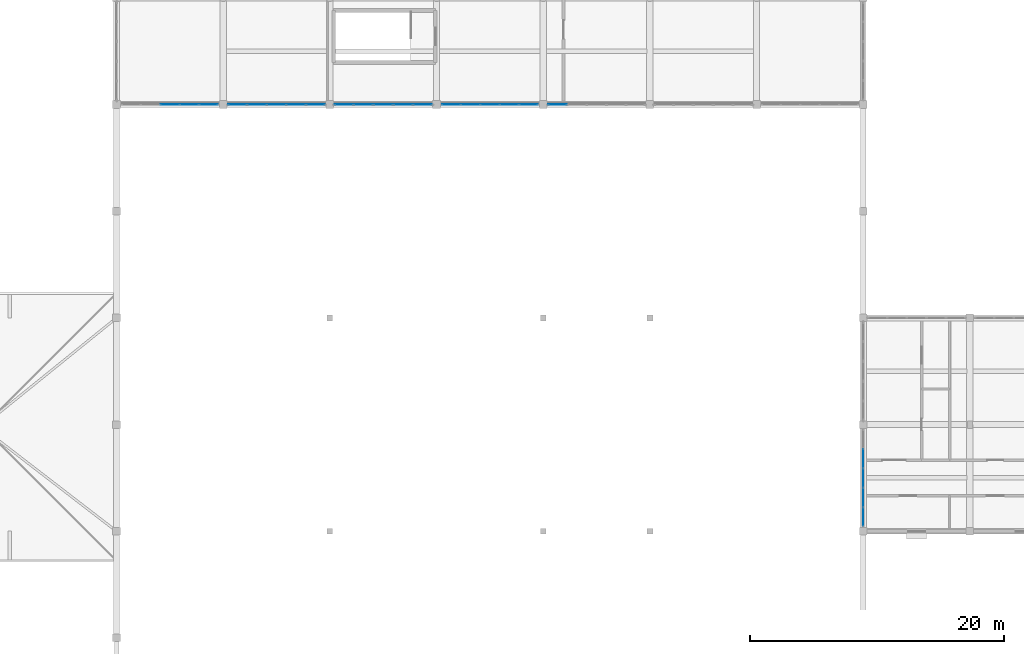
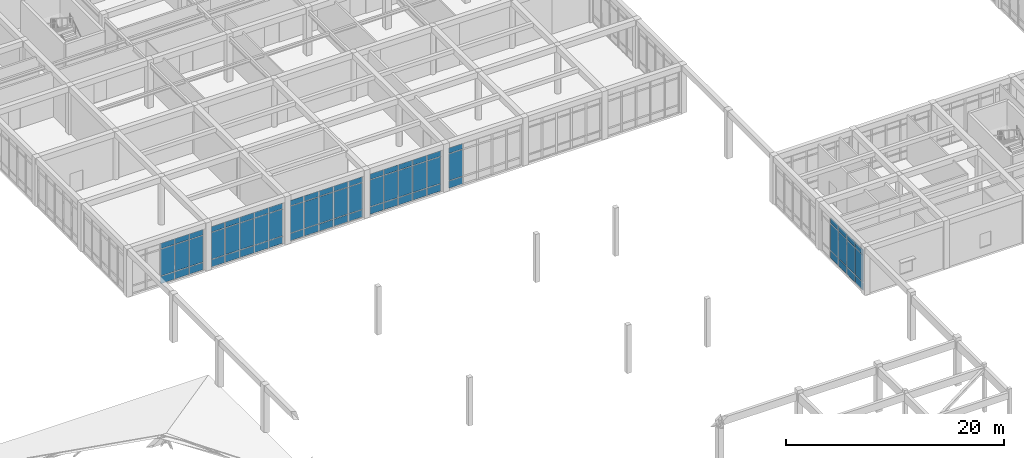
# One storey, part 40 of 89: 69 plates, 6 elements without a shape of their own.
"""IFC4 building model written with IfcOpenShell, lengths in metres."""

from ifc_helpers import new_model, si_unit, direction, frame, origin, origin_2d, place, context, subcontext, project, spatial, rectangle, extrude, material, layer, layer_set, type_object, element, aggregate, save


model = new_model("IFC4")

# Units and contexts
model_context = context("Model", 3, precision=1e-05, world=origin(), true_north=direction((0.0, 1.0)))
body_context = subcontext(model_context, "Body", "Model", "MODEL_VIEW")
ifc_project = project(units=[si_unit("LENGTHUNIT", "METRE"), si_unit("AREAUNIT", "SQUARE_METRE"), si_unit("VOLUMEUNIT", "CUBIC_METRE"), si_unit("PLANEANGLEUNIT", "RADIAN"), si_unit("MASSUNIT", "GRAM", prefix="KILO")], contexts=[model_context])

# Site, building, storey
site_placement = place(None, origin())
site = spatial("IfcSite", under=ifc_project, at=site_placement, CompositionType="ELEMENT")
building_placement = place(site_placement, origin())
building = spatial("IfcBuilding", under=site, at=building_placement, Name="Varncliffe General Hospital", CompositionType="ELEMENT")
storey_placement = place(building_placement, frame((0.0, 0.0, 10.800048828125)))
storey = spatial("IfcBuildingStorey", under=building, at=storey_placement, Name="L02", CompositionType="ELEMENT", Elevation=10.800048828125)

# Curtain wall, plates
ifc_material = material(Name="Triple low-E argon insulated vision glazing", Category="glass")
curtain_wall_type_1 = type_object("IfcCurtainWallType", Name="Unitised Glazed Curtain Wall CW70 (7724x4640)", PredefinedType="USERDEFINED", material=ifc_material)
curtain_wall_1_placement = place(storey_placement, origin())
curtain_wall_1 = element("IfcCurtainWall", 1, at=curtain_wall_1_placement, inside=storey, type_object=curtain_wall_type_1, Name="L02 Glazed Curtain Wall CW70-136", ObjectType="GLAZED CURTAIN WALL", PredefinedType="USERDEFINED")
ifc_layer_1 = layer(ifc_material, 0.0439453125)
ifc_layer_set_1 = layer_set([ifc_layer_1], Name="Triple low-E argon insulated vision glazing")
plate_type_1 = type_object("IfcPlateType", Name="Curtain Wall Glazing Panel CP12 (44mm)", PredefinedType="CURTAIN_PANEL", material=ifc_layer_set_1)
plate_1_placement = place(storey_placement, frame((93.529052734375, 57.60009765625, 0.059814453125), z_axis=(0.0, 0.0, 1.0), x_axis=(-1.0, 0.0, 0.0)))
plate_1 = element("IfcPlate", 2, at=plate_1_placement, type_object=plate_type_1, Name="CW70 panel 5.1", PredefinedType="CURTAIN_PANEL", context=body_context, shape_type="SweptSolid", body=[
    extrude(rectangle(XDim=1.432373046875, YDim=0.0439453125, at=origin_2d()), origin(), (0.0, 0.0, 1.0), 0.81005859375),
])
plate_2_placement = place(storey_placement, frame((93.529052734375, 57.60009765625, 0.929931640625), z_axis=(0.0, 0.0, 1.0), x_axis=(-1.0, 0.0, 0.0)))
plate_2 = element("IfcPlate", 3, at=plate_2_placement, type_object=plate_type_1, Name="CW70 panel 5.2", PredefinedType="CURTAIN_PANEL", context=body_context, shape_type="SweptSolid", body=[
    extrude(rectangle(XDim=1.432373046875, YDim=0.0439453125, at=origin_2d()), origin(), (0.0, 0.0, 1.0), 2.97998046875),
])
plate_3_placement = place(storey_placement, frame((93.529052734375, 57.60009765625, 3.9697265625), z_axis=(0.0, 0.0, 1.0), x_axis=(-1.0, 0.0, 0.0)))
plate_3 = element("IfcPlate", 4, at=plate_3_placement, type_object=plate_type_1, Name="CW70 panel 5.3", PredefinedType="CURTAIN_PANEL", context=body_context, shape_type="SweptSolid", body=[
    extrude(rectangle(XDim=1.432373046875, YDim=0.0439453125, at=origin_2d()), origin(), (0.0, 0.0, 1.0), 0.610107421875),
])
aggregate(curtain_wall_1, [plate_1, plate_2, plate_3])

curtain_wall_2_placement = place(storey_placement, origin())
curtain_wall_2 = element("IfcCurtainWall", 5, at=curtain_wall_2_placement, inside=storey, type_object=curtain_wall_type_1, Name="L02 Glazed Curtain Wall CW70-139", ObjectType="GLAZED CURTAIN WALL", PredefinedType="USERDEFINED")
plate_4_placement = place(storey_placement, frame((74.470947265625, 57.60009765625, 0.059814453125), z_axis=(0.0, 0.0, 1.0), x_axis=(-1.0, 0.0, 0.0)))
plate_4 = element("IfcPlate", 6, at=plate_4_placement, type_object=plate_type_1, Name="CW70 panel 1.1", PredefinedType="CURTAIN_PANEL", context=body_context, shape_type="SweptSolid", body=[
    extrude(rectangle(XDim=1.432373046875, YDim=0.0439453125, at=origin_2d()), origin(), (0.0, 0.0, 1.0), 0.81005859375),
])
plate_5_placement = place(storey_placement, frame((74.470947265625, 57.60009765625, 0.929931640625), z_axis=(0.0, 0.0, 1.0), x_axis=(-1.0, 0.0, 0.0)))
plate_5 = element("IfcPlate", 7, at=plate_5_placement, type_object=plate_type_1, Name="CW70 panel 1.2", PredefinedType="CURTAIN_PANEL", context=body_context, shape_type="SweptSolid", body=[
    extrude(rectangle(XDim=1.432373046875, YDim=0.0439453125, at=origin_2d()), origin(), (0.0, 0.0, 1.0), 2.97998046875),
])
plate_6_placement = place(storey_placement, frame((74.470947265625, 57.60009765625, 3.9697265625), z_axis=(0.0, 0.0, 1.0), x_axis=(-1.0, 0.0, 0.0)))
plate_6 = element("IfcPlate", 8, at=plate_6_placement, type_object=plate_type_1, Name="CW70 panel 1.3", PredefinedType="CURTAIN_PANEL", context=body_context, shape_type="SweptSolid", body=[
    extrude(rectangle(XDim=1.432373046875, YDim=0.0439453125, at=origin_2d()), origin(), (0.0, 0.0, 1.0), 0.610107421875),
])
plate_7_placement = place(storey_placement, frame((72.94482421875, 57.60009765625, 0.059814453125), z_axis=(0.0, 0.0, 1.0), x_axis=(-1.0, 0.0, 0.0)))
plate_7 = element("IfcPlate", 9, at=plate_7_placement, type_object=plate_type_1, Name="CW70 panel 2.1", PredefinedType="CURTAIN_PANEL", context=body_context, shape_type="SweptSolid", body=[
    extrude(rectangle(XDim=1.4697265625, YDim=0.0439453125, at=origin_2d()), origin(), (0.0, 0.0, 1.0), 0.81005859375),
])
plate_8_placement = place(storey_placement, frame((72.94482421875, 57.60009765625, 0.929931640625), z_axis=(0.0, 0.0, 1.0), x_axis=(-1.0, 0.0, 0.0)))
plate_8 = element("IfcPlate", 10, at=plate_8_placement, type_object=plate_type_1, Name="CW70 panel 2.2", PredefinedType="CURTAIN_PANEL", context=body_context, shape_type="SweptSolid", body=[
    extrude(rectangle(XDim=1.4697265625, YDim=0.0439453125, at=origin_2d()), origin(), (0.0, 0.0, 1.0), 2.97998046875),
])
plate_9_placement = place(storey_placement, frame((72.94482421875, 57.60009765625, 3.9697265625), z_axis=(0.0, 0.0, 1.0), x_axis=(-1.0, 0.0, 0.0)))
plate_9 = element("IfcPlate", 11, at=plate_9_placement, type_object=plate_type_1, Name="CW70 panel 2.3", PredefinedType="CURTAIN_PANEL", context=body_context, shape_type="SweptSolid", body=[
    extrude(rectangle(XDim=1.4697265625, YDim=0.0439453125, at=origin_2d()), origin(), (0.0, 0.0, 1.0), 0.610107421875),
])
plate_10_placement = place(storey_placement, frame((71.39990234375, 57.60009765625, 0.059814453125), z_axis=(0.0, 0.0, 1.0), x_axis=(-1.0, 0.0, 0.0)))
plate_10 = element("IfcPlate", 12, at=plate_10_placement, type_object=plate_type_1, Name="CW70 panel 3.1", PredefinedType="CURTAIN_PANEL", context=body_context, shape_type="SweptSolid", body=[
    extrude(rectangle(XDim=1.4697265625, YDim=0.0439453125, at=origin_2d()), origin(), (0.0, 0.0, 1.0), 0.81005859375),
])
plate_11_placement = place(storey_placement, frame((71.39990234375, 57.60009765625, 0.929931640625), z_axis=(0.0, 0.0, 1.0), x_axis=(-1.0, 0.0, 0.0)))
plate_11 = element("IfcPlate", 13, at=plate_11_placement, type_object=plate_type_1, Name="CW70 panel 3.2", PredefinedType="CURTAIN_PANEL", context=body_context, shape_type="SweptSolid", body=[
    extrude(rectangle(XDim=1.4697265625, YDim=0.0439453125, at=origin_2d()), origin(), (0.0, 0.0, 1.0), 2.97998046875),
])
plate_12_placement = place(storey_placement, frame((71.39990234375, 57.60009765625, 3.9697265625), z_axis=(0.0, 0.0, 1.0), x_axis=(-1.0, 0.0, 0.0)))
plate_12 = element("IfcPlate", 14, at=plate_12_placement, type_object=plate_type_1, Name="CW70 panel 3.3", PredefinedType="CURTAIN_PANEL", context=body_context, shape_type="SweptSolid", body=[
    extrude(rectangle(XDim=1.4697265625, YDim=0.0439453125, at=origin_2d()), origin(), (0.0, 0.0, 1.0), 0.610107421875),
])
plate_13_placement = place(storey_placement, frame((69.855224609375, 57.60009765625, 0.059814453125), z_axis=(0.0, 0.0, 1.0), x_axis=(-1.0, 0.0, 0.0)))
plate_13 = element("IfcPlate", 15, at=plate_13_placement, type_object=plate_type_1, Name="CW70 panel 4.1", PredefinedType="CURTAIN_PANEL", context=body_context, shape_type="SweptSolid", body=[
    extrude(rectangle(XDim=1.4697265625, YDim=0.0439453125, at=origin_2d()), origin(), (0.0, 0.0, 1.0), 0.81005859375),
])
plate_14_placement = place(storey_placement, frame((69.855224609375, 57.60009765625, 0.929931640625), z_axis=(0.0, 0.0, 1.0), x_axis=(-1.0, 0.0, 0.0)))
plate_14 = element("IfcPlate", 16, at=plate_14_placement, type_object=plate_type_1, Name="CW70 panel 4.2", PredefinedType="CURTAIN_PANEL", context=body_context, shape_type="SweptSolid", body=[
    extrude(rectangle(XDim=1.4697265625, YDim=0.0439453125, at=origin_2d()), origin(), (0.0, 0.0, 1.0), 2.97998046875),
])
plate_15_placement = place(storey_placement, frame((69.855224609375, 57.60009765625, 3.9697265625), z_axis=(0.0, 0.0, 1.0), x_axis=(-1.0, 0.0, 0.0)))
plate_15 = element("IfcPlate", 17, at=plate_15_placement, type_object=plate_type_1, Name="CW70 panel 4.3", PredefinedType="CURTAIN_PANEL", context=body_context, shape_type="SweptSolid", body=[
    extrude(rectangle(XDim=1.4697265625, YDim=0.0439453125, at=origin_2d()), origin(), (0.0, 0.0, 1.0), 0.610107421875),
])
plate_16_placement = place(storey_placement, frame((68.3291015625, 57.60009765625, 0.059814453125), z_axis=(0.0, 0.0, 1.0), x_axis=(-1.0, 0.0, 0.0)))
plate_16 = element("IfcPlate", 18, at=plate_16_placement, type_object=plate_type_1, Name="CW70 panel 5.1", PredefinedType="CURTAIN_PANEL", context=body_context, shape_type="SweptSolid", body=[
    extrude(rectangle(XDim=1.432373046875, YDim=0.0439453125, at=origin_2d()), origin(), (0.0, 0.0, 1.0), 0.81005859375),
])
plate_17_placement = place(storey_placement, frame((68.3291015625, 57.60009765625, 0.929931640625), z_axis=(0.0, 0.0, 1.0), x_axis=(-1.0, 0.0, 0.0)))
plate_17 = element("IfcPlate", 19, at=plate_17_placement, type_object=plate_type_1, Name="CW70 panel 5.2", PredefinedType="CURTAIN_PANEL", context=body_context, shape_type="SweptSolid", body=[
    extrude(rectangle(XDim=1.432373046875, YDim=0.0439453125, at=origin_2d()), origin(), (0.0, 0.0, 1.0), 2.97998046875),
])
plate_18_placement = place(storey_placement, frame((68.3291015625, 57.60009765625, 3.9697265625), z_axis=(0.0, 0.0, 1.0), x_axis=(-1.0, 0.0, 0.0)))
plate_18 = element("IfcPlate", 20, at=plate_18_placement, type_object=plate_type_1, Name="CW70 panel 5.3", PredefinedType="CURTAIN_PANEL", context=body_context, shape_type="SweptSolid", body=[
    extrude(rectangle(XDim=1.432373046875, YDim=0.0439453125, at=origin_2d()), origin(), (0.0, 0.0, 1.0), 0.610107421875),
])
aggregate(curtain_wall_2, [plate_4, plate_5, plate_6, plate_7, plate_8, plate_9, plate_10, plate_11, plate_12, plate_13, plate_14, plate_15, plate_16, plate_17, plate_18])

curtain_wall_type_2 = type_object("IfcCurtainWallType", Name="Unitised Glazed Curtain Wall CW85 (7804x4640)", PredefinedType="USERDEFINED", material=ifc_material)
curtain_wall_3_placement = place(storey_placement, origin())
curtain_wall_3 = element("IfcCurtainWall", 21, at=curtain_wall_3_placement, inside=storey, type_object=curtain_wall_type_2, Name="L02 Glazed Curtain Wall CW85-138", ObjectType="GLAZED CURTAIN WALL", PredefinedType="USERDEFINED")
ifc_layer_2 = layer(ifc_material, 0.035888671875)
ifc_layer_set_2 = layer_set([ifc_layer_2], Name="Triple low-E argon insulated vision glazing")
plate_type_2 = type_object("IfcPlateType", Name="Curtain Wall Glazing Panel CP27 (36mm)", PredefinedType="CURTAIN_PANEL", material=ifc_layer_set_2)
plate_19_placement = place(storey_placement, frame((82.90283203125, 57.60009765625, 0.06494140625), z_axis=(0.0, 0.0, 1.0), x_axis=(-1.0, 0.0, 0.0)))
plate_19 = element("IfcPlate", 22, at=plate_19_placement, type_object=plate_type_2, Name="CW85 panel 1.1", PredefinedType="CURTAIN_PANEL", context=body_context, shape_type="SweptSolid", body=[
    extrude(rectangle(XDim=1.4482421875, YDim=0.035888671875, at=origin_2d()), origin(), (0.0, 0.0, 1.0), 0.802490234375),
])
plate_20_placement = place(storey_placement, frame((82.90283203125, 57.60009765625, 0.932373046875), z_axis=(0.0, 0.0, 1.0), x_axis=(-1.0, 0.0, 0.0)))
plate_20 = element("IfcPlate", 23, at=plate_20_placement, type_object=plate_type_2, Name="CW85 panel 1.2", PredefinedType="CURTAIN_PANEL", context=body_context, shape_type="SweptSolid", body=[
    extrude(rectangle(XDim=1.4482421875, YDim=0.035888671875, at=origin_2d()), origin(), (0.0, 0.0, 1.0), 2.97509765625),
])
plate_21_placement = place(storey_placement, frame((82.90283203125, 57.60009765625, 3.972412109375), z_axis=(0.0, 0.0, 1.0), x_axis=(-1.0, 0.0, 0.0)))
plate_21 = element("IfcPlate", 24, at=plate_21_placement, type_object=plate_type_2, Name="CW85 panel 1.3", PredefinedType="CURTAIN_PANEL", context=body_context, shape_type="SweptSolid", body=[
    extrude(rectangle(XDim=1.4482421875, YDim=0.035888671875, at=origin_2d()), origin(), (0.0, 0.0, 1.0), 0.6025390625),
])
plate_22_placement = place(storey_placement, frame((81.36083984375, 57.60009765625, 0.06494140625), z_axis=(0.0, 0.0, 1.0), x_axis=(-1.0, 0.0, 0.0)))
plate_22 = element("IfcPlate", 25, at=plate_22_placement, type_object=plate_type_2, Name="CW85 panel 2.1", PredefinedType="CURTAIN_PANEL", context=body_context, shape_type="SweptSolid", body=[
    extrude(rectangle(XDim=1.48583984375, YDim=0.035888671875, at=origin_2d()), origin(), (0.0, 0.0, 1.0), 0.802490234375),
])
plate_23_placement = place(storey_placement, frame((81.36083984375, 57.60009765625, 0.932373046875), z_axis=(0.0, 0.0, 1.0), x_axis=(-1.0, 0.0, 0.0)))
plate_23 = element("IfcPlate", 26, at=plate_23_placement, type_object=plate_type_2, Name="CW85 panel 2.2", PredefinedType="CURTAIN_PANEL", context=body_context, shape_type="SweptSolid", body=[
    extrude(rectangle(XDim=1.48583984375, YDim=0.035888671875, at=origin_2d()), origin(), (0.0, 0.0, 1.0), 2.97509765625),
])
plate_24_placement = place(storey_placement, frame((81.36083984375, 57.60009765625, 3.972412109375), z_axis=(0.0, 0.0, 1.0), x_axis=(-1.0, 0.0, 0.0)))
plate_24 = element("IfcPlate", 27, at=plate_24_placement, type_object=plate_type_2, Name="CW85 panel 2.3", PredefinedType="CURTAIN_PANEL", context=body_context, shape_type="SweptSolid", body=[
    extrude(rectangle(XDim=1.48583984375, YDim=0.035888671875, at=origin_2d()), origin(), (0.0, 0.0, 1.0), 0.6025390625),
])
plate_25_placement = place(storey_placement, frame((79.800048828125, 57.60009765625, 0.06494140625), z_axis=(0.0, 0.0, 1.0), x_axis=(-1.0, 0.0, 0.0)))
plate_25 = element("IfcPlate", 28, at=plate_25_placement, type_object=plate_type_2, Name="CW85 panel 3.1", PredefinedType="CURTAIN_PANEL", context=body_context, shape_type="SweptSolid", body=[
    extrude(rectangle(XDim=1.48583984375, YDim=0.035888671875, at=origin_2d()), origin(), (0.0, 0.0, 1.0), 0.802490234375),
])
plate_26_placement = place(storey_placement, frame((79.800048828125, 57.60009765625, 0.932373046875), z_axis=(0.0, 0.0, 1.0), x_axis=(-1.0, 0.0, 0.0)))
plate_26 = element("IfcPlate", 29, at=plate_26_placement, type_object=plate_type_2, Name="CW85 panel 3.2", PredefinedType="CURTAIN_PANEL", context=body_context, shape_type="SweptSolid", body=[
    extrude(rectangle(XDim=1.48583984375, YDim=0.035888671875, at=origin_2d()), origin(), (0.0, 0.0, 1.0), 2.97509765625),
])
plate_27_placement = place(storey_placement, frame((79.800048828125, 57.60009765625, 3.972412109375), z_axis=(0.0, 0.0, 1.0), x_axis=(-1.0, 0.0, 0.0)))
plate_27 = element("IfcPlate", 30, at=plate_27_placement, type_object=plate_type_2, Name="CW85 panel 3.3", PredefinedType="CURTAIN_PANEL", context=body_context, shape_type="SweptSolid", body=[
    extrude(rectangle(XDim=1.48583984375, YDim=0.035888671875, at=origin_2d()), origin(), (0.0, 0.0, 1.0), 0.6025390625),
])
plate_28_placement = place(storey_placement, frame((78.2392578125, 57.60009765625, 0.06494140625), z_axis=(0.0, 0.0, 1.0), x_axis=(-1.0, 0.0, 0.0)))
plate_28 = element("IfcPlate", 31, at=plate_28_placement, type_object=plate_type_2, Name="CW85 panel 4.1", PredefinedType="CURTAIN_PANEL", context=body_context, shape_type="SweptSolid", body=[
    extrude(rectangle(XDim=1.48583984375, YDim=0.035888671875, at=origin_2d()), origin(), (0.0, 0.0, 1.0), 0.802490234375),
])
plate_29_placement = place(storey_placement, frame((78.2392578125, 57.60009765625, 0.932373046875), z_axis=(0.0, 0.0, 1.0), x_axis=(-1.0, 0.0, 0.0)))
plate_29 = element("IfcPlate", 32, at=plate_29_placement, type_object=plate_type_2, Name="CW85 panel 4.2", PredefinedType="CURTAIN_PANEL", context=body_context, shape_type="SweptSolid", body=[
    extrude(rectangle(XDim=1.48583984375, YDim=0.035888671875, at=origin_2d()), origin(), (0.0, 0.0, 1.0), 2.97509765625),
])
plate_30_placement = place(storey_placement, frame((78.2392578125, 57.60009765625, 3.972412109375), z_axis=(0.0, 0.0, 1.0), x_axis=(-1.0, 0.0, 0.0)))
plate_30 = element("IfcPlate", 33, at=plate_30_placement, type_object=plate_type_2, Name="CW85 panel 4.3", PredefinedType="CURTAIN_PANEL", context=body_context, shape_type="SweptSolid", body=[
    extrude(rectangle(XDim=1.48583984375, YDim=0.035888671875, at=origin_2d()), origin(), (0.0, 0.0, 1.0), 0.6025390625),
])
plate_31_placement = place(storey_placement, frame((76.697265625, 57.60009765625, 0.06494140625), z_axis=(0.0, 0.0, 1.0), x_axis=(-1.0, 0.0, 0.0)))
plate_31 = element("IfcPlate", 34, at=plate_31_placement, type_object=plate_type_2, Name="CW85 panel 5.1", PredefinedType="CURTAIN_PANEL", context=body_context, shape_type="SweptSolid", body=[
    extrude(rectangle(XDim=1.4482421875, YDim=0.035888671875, at=origin_2d()), origin(), (0.0, 0.0, 1.0), 0.802490234375),
])
plate_32_placement = place(storey_placement, frame((76.697265625, 57.60009765625, 0.932373046875), z_axis=(0.0, 0.0, 1.0), x_axis=(-1.0, 0.0, 0.0)))
plate_32 = element("IfcPlate", 35, at=plate_32_placement, type_object=plate_type_2, Name="CW85 panel 5.2", PredefinedType="CURTAIN_PANEL", context=body_context, shape_type="SweptSolid", body=[
    extrude(rectangle(XDim=1.4482421875, YDim=0.035888671875, at=origin_2d()), origin(), (0.0, 0.0, 1.0), 2.97509765625),
])
plate_33_placement = place(storey_placement, frame((76.697265625, 57.60009765625, 3.972412109375), z_axis=(0.0, 0.0, 1.0), x_axis=(-1.0, 0.0, 0.0)))
plate_33 = element("IfcPlate", 36, at=plate_33_placement, type_object=plate_type_2, Name="CW85 panel 5.3", PredefinedType="CURTAIN_PANEL", context=body_context, shape_type="SweptSolid", body=[
    extrude(rectangle(XDim=1.4482421875, YDim=0.035888671875, at=origin_2d()), origin(), (0.0, 0.0, 1.0), 0.6025390625),
])
aggregate(curtain_wall_3, [plate_19, plate_20, plate_21, plate_22, plate_23, plate_24, plate_25, plate_26, plate_27, plate_28, plate_29, plate_30, plate_31, plate_32, plate_33])

curtain_wall_type_3 = type_object("IfcCurtainWallType", Name="Unitised Glazed Curtain Wall CW27 (7644x4640)", PredefinedType="USERDEFINED", material=ifc_material)
curtain_wall_4_placement = place(storey_placement, origin())
curtain_wall_4 = element("IfcCurtainWall", 37, at=curtain_wall_4_placement, inside=storey, type_object=curtain_wall_type_3, Name="L02 Glazed Curtain Wall CW27-116", ObjectType="GLAZED CURTAIN WALL", PredefinedType="USERDEFINED")
ifc_layer_3 = layer(ifc_material, 0.028076171875)
ifc_layer_set_3 = layer_set([ifc_layer_3], Name="Triple low-E argon insulated vision glazing")
plate_type_3 = type_object("IfcPlateType", Name="Curtain Wall Glazing Panel CP48 (28mm)", PredefinedType="CURTAIN_PANEL", material=ifc_layer_set_3)
plate_34_placement = place(storey_placement, frame((117.60009765625, 25.15869140625, 0.059814453125), z_axis=(0.0, 0.0, 1.0), x_axis=(0.0, 1.0, 0.0)))
plate_34 = element("IfcPlate", 38, at=plate_34_placement, type_object=plate_type_3, Name="CW27 panel 1.1", PredefinedType="CURTAIN_PANEL", context=body_context, shape_type="SweptSolid", body=[
    extrude(rectangle(XDim=1.431396484375, YDim=0.028076171875, at=origin_2d()), origin(), (0.0, 0.0, 1.0), 0.81005859375),
])
plate_35_placement = place(storey_placement, frame((117.60009765625, 25.15869140625, 0.929931640625), z_axis=(0.0, 0.0, 1.0), x_axis=(0.0, 1.0, 0.0)))
plate_35 = element("IfcPlate", 39, at=plate_35_placement, type_object=plate_type_3, Name="CW27 panel 1.2", PredefinedType="CURTAIN_PANEL", context=body_context, shape_type="SweptSolid", body=[
    extrude(rectangle(XDim=1.431396484375, YDim=0.028076171875, at=origin_2d()), origin(), (0.0, 0.0, 1.0), 2.97998046875),
])
plate_36_placement = place(storey_placement, frame((117.60009765625, 25.15869140625, 3.9697265625), z_axis=(0.0, 0.0, 1.0), x_axis=(0.0, 1.0, 0.0)))
plate_36 = element("IfcPlate", 40, at=plate_36_placement, type_object=plate_type_3, Name="CW27 panel 1.3", PredefinedType="CURTAIN_PANEL", context=body_context, shape_type="SweptSolid", body=[
    extrude(rectangle(XDim=1.431396484375, YDim=0.028076171875, at=origin_2d()), origin(), (0.0, 0.0, 1.0), 0.610107421875),
])
plate_37_placement = place(storey_placement, frame((117.60009765625, 26.671142578125, 0.059814453125), z_axis=(0.0, 0.0, 1.0), x_axis=(0.0, 1.0, 0.0)))
plate_37 = element("IfcPlate", 41, at=plate_37_placement, type_object=plate_type_3, Name="CW27 panel 2.1", PredefinedType="CURTAIN_PANEL", context=body_context, shape_type="SweptSolid", body=[
    extrude(rectangle(XDim=1.4638671875, YDim=0.028076171875, at=origin_2d()), origin(), (0.0, 0.0, 1.0), 0.81005859375),
])
plate_38_placement = place(storey_placement, frame((117.60009765625, 26.671142578125, 0.929931640625), z_axis=(0.0, 0.0, 1.0), x_axis=(0.0, 1.0, 0.0)))
plate_38 = element("IfcPlate", 42, at=plate_38_placement, type_object=plate_type_3, Name="CW27 panel 2.2", PredefinedType="CURTAIN_PANEL", context=body_context, shape_type="SweptSolid", body=[
    extrude(rectangle(XDim=1.4638671875, YDim=0.028076171875, at=origin_2d()), origin(), (0.0, 0.0, 1.0), 2.97998046875),
])
plate_39_placement = place(storey_placement, frame((117.60009765625, 26.671142578125, 3.9697265625), z_axis=(0.0, 0.0, 1.0), x_axis=(0.0, 1.0, 0.0)))
plate_39 = element("IfcPlate", 43, at=plate_39_placement, type_object=plate_type_3, Name="CW27 panel 2.3", PredefinedType="CURTAIN_PANEL", context=body_context, shape_type="SweptSolid", body=[
    extrude(rectangle(XDim=1.4638671875, YDim=0.028076171875, at=origin_2d()), origin(), (0.0, 0.0, 1.0), 0.610107421875),
])
plate_40_placement = place(storey_placement, frame((117.60009765625, 28.199951171875, 0.059814453125), z_axis=(0.0, 0.0, 1.0), x_axis=(0.0, 1.0, 0.0)))
plate_40 = element("IfcPlate", 44, at=plate_40_placement, type_object=plate_type_3, Name="CW27 panel 3.1", PredefinedType="CURTAIN_PANEL", context=body_context, shape_type="SweptSolid", body=[
    extrude(rectangle(XDim=1.4638671875, YDim=0.028076171875, at=origin_2d()), origin(), (0.0, 0.0, 1.0), 0.81005859375),
])
plate_41_placement = place(storey_placement, frame((117.60009765625, 28.199951171875, 0.929931640625), z_axis=(0.0, 0.0, 1.0), x_axis=(0.0, 1.0, 0.0)))
plate_41 = element("IfcPlate", 45, at=plate_41_placement, type_object=plate_type_3, Name="CW27 panel 3.2", PredefinedType="CURTAIN_PANEL", context=body_context, shape_type="SweptSolid", body=[
    extrude(rectangle(XDim=1.4638671875, YDim=0.028076171875, at=origin_2d()), origin(), (0.0, 0.0, 1.0), 2.97998046875),
])
plate_42_placement = place(storey_placement, frame((117.60009765625, 28.199951171875, 3.9697265625), z_axis=(0.0, 0.0, 1.0), x_axis=(0.0, 1.0, 0.0)))
plate_42 = element("IfcPlate", 46, at=plate_42_placement, type_object=plate_type_3, Name="CW27 panel 3.3", PredefinedType="CURTAIN_PANEL", context=body_context, shape_type="SweptSolid", body=[
    extrude(rectangle(XDim=1.4638671875, YDim=0.028076171875, at=origin_2d()), origin(), (0.0, 0.0, 1.0), 0.610107421875),
])
plate_43_placement = place(storey_placement, frame((117.60009765625, 29.728759765625, 0.059814453125), z_axis=(0.0, 0.0, 1.0), x_axis=(0.0, 1.0, 0.0)))
plate_43 = element("IfcPlate", 47, at=plate_43_placement, type_object=plate_type_3, Name="CW27 panel 4.1", PredefinedType="CURTAIN_PANEL", context=body_context, shape_type="SweptSolid", body=[
    extrude(rectangle(XDim=1.4638671875, YDim=0.028076171875, at=origin_2d()), origin(), (0.0, 0.0, 1.0), 0.81005859375),
])
plate_44_placement = place(storey_placement, frame((117.60009765625, 29.728759765625, 0.929931640625), z_axis=(0.0, 0.0, 1.0), x_axis=(0.0, 1.0, 0.0)))
plate_44 = element("IfcPlate", 48, at=plate_44_placement, type_object=plate_type_3, Name="CW27 panel 4.2", PredefinedType="CURTAIN_PANEL", context=body_context, shape_type="SweptSolid", body=[
    extrude(rectangle(XDim=1.4638671875, YDim=0.028076171875, at=origin_2d()), origin(), (0.0, 0.0, 1.0), 2.97998046875),
])
plate_45_placement = place(storey_placement, frame((117.60009765625, 29.728759765625, 3.9697265625), z_axis=(0.0, 0.0, 1.0), x_axis=(0.0, 1.0, 0.0)))
plate_45 = element("IfcPlate", 49, at=plate_45_placement, type_object=plate_type_3, Name="CW27 panel 4.3", PredefinedType="CURTAIN_PANEL", context=body_context, shape_type="SweptSolid", body=[
    extrude(rectangle(XDim=1.4638671875, YDim=0.028076171875, at=origin_2d()), origin(), (0.0, 0.0, 1.0), 0.610107421875),
])
aggregate(curtain_wall_4, [plate_34, plate_35, plate_36, plate_37, plate_38, plate_39, plate_40, plate_41, plate_42, plate_43, plate_44, plate_45])

curtain_wall_5_placement = place(storey_placement, origin())
curtain_wall_5 = element("IfcCurtainWall", 50, at=curtain_wall_5_placement, inside=storey, type_object=curtain_wall_type_3, Name="L02 Glazed Curtain Wall CW27-137", ObjectType="GLAZED CURTAIN WALL", PredefinedType="USERDEFINED")
plate_46_placement = place(storey_placement, frame((91.241455078125, 57.60009765625, 0.059814453125), z_axis=(0.0, 0.0, 1.0), x_axis=(-1.0, 0.0, 0.0)))
plate_46 = element("IfcPlate", 51, at=plate_46_placement, type_object=plate_type_3, Name="CW27 panel 1.1", PredefinedType="CURTAIN_PANEL", context=body_context, shape_type="SweptSolid", body=[
    extrude(rectangle(XDim=1.431396484375, YDim=0.028076171875, at=origin_2d()), origin(), (0.0, 0.0, 1.0), 0.81005859375),
])
plate_47_placement = place(storey_placement, frame((91.241455078125, 57.60009765625, 0.929931640625), z_axis=(0.0, 0.0, 1.0), x_axis=(-1.0, 0.0, 0.0)))
plate_47 = element("IfcPlate", 52, at=plate_47_placement, type_object=plate_type_3, Name="CW27 panel 1.2", PredefinedType="CURTAIN_PANEL", context=body_context, shape_type="SweptSolid", body=[
    extrude(rectangle(XDim=1.431396484375, YDim=0.028076171875, at=origin_2d()), origin(), (0.0, 0.0, 1.0), 2.97998046875),
])
plate_48_placement = place(storey_placement, frame((91.241455078125, 57.60009765625, 3.9697265625), z_axis=(0.0, 0.0, 1.0), x_axis=(-1.0, 0.0, 0.0)))
plate_48 = element("IfcPlate", 53, at=plate_48_placement, type_object=plate_type_3, Name="CW27 panel 1.3", PredefinedType="CURTAIN_PANEL", context=body_context, shape_type="SweptSolid", body=[
    extrude(rectangle(XDim=1.431396484375, YDim=0.028076171875, at=origin_2d()), origin(), (0.0, 0.0, 1.0), 0.610107421875),
])
plate_49_placement = place(storey_placement, frame((89.728759765625, 57.60009765625, 0.059814453125), z_axis=(0.0, 0.0, 1.0), x_axis=(-1.0, 0.0, 0.0)))
plate_49 = element("IfcPlate", 54, at=plate_49_placement, type_object=plate_type_3, Name="CW27 panel 2.1", PredefinedType="CURTAIN_PANEL", context=body_context, shape_type="SweptSolid", body=[
    extrude(rectangle(XDim=1.4638671875, YDim=0.028076171875, at=origin_2d()), origin(), (0.0, 0.0, 1.0), 0.81005859375),
])
plate_50_placement = place(storey_placement, frame((89.728759765625, 57.60009765625, 0.929931640625), z_axis=(0.0, 0.0, 1.0), x_axis=(-1.0, 0.0, 0.0)))
plate_50 = element("IfcPlate", 55, at=plate_50_placement, type_object=plate_type_3, Name="CW27 panel 2.2", PredefinedType="CURTAIN_PANEL", context=body_context, shape_type="SweptSolid", body=[
    extrude(rectangle(XDim=1.4638671875, YDim=0.028076171875, at=origin_2d()), origin(), (0.0, 0.0, 1.0), 2.97998046875),
])
plate_51_placement = place(storey_placement, frame((89.728759765625, 57.60009765625, 3.9697265625), z_axis=(0.0, 0.0, 1.0), x_axis=(-1.0, 0.0, 0.0)))
plate_51 = element("IfcPlate", 56, at=plate_51_placement, type_object=plate_type_3, Name="CW27 panel 2.3", PredefinedType="CURTAIN_PANEL", context=body_context, shape_type="SweptSolid", body=[
    extrude(rectangle(XDim=1.4638671875, YDim=0.028076171875, at=origin_2d()), origin(), (0.0, 0.0, 1.0), 0.610107421875),
])
plate_52_placement = place(storey_placement, frame((88.199951171875, 57.60009765625, 0.059814453125), z_axis=(0.0, 0.0, 1.0), x_axis=(-1.0, 0.0, 0.0)))
plate_52 = element("IfcPlate", 57, at=plate_52_placement, type_object=plate_type_3, Name="CW27 panel 3.1", PredefinedType="CURTAIN_PANEL", context=body_context, shape_type="SweptSolid", body=[
    extrude(rectangle(XDim=1.4638671875, YDim=0.028076171875, at=origin_2d()), origin(), (0.0, 0.0, 1.0), 0.81005859375),
])
plate_53_placement = place(storey_placement, frame((88.199951171875, 57.60009765625, 0.929931640625), z_axis=(0.0, 0.0, 1.0), x_axis=(-1.0, 0.0, 0.0)))
plate_53 = element("IfcPlate", 58, at=plate_53_placement, type_object=plate_type_3, Name="CW27 panel 3.2", PredefinedType="CURTAIN_PANEL", context=body_context, shape_type="SweptSolid", body=[
    extrude(rectangle(XDim=1.4638671875, YDim=0.028076171875, at=origin_2d()), origin(), (0.0, 0.0, 1.0), 2.97998046875),
])
plate_54_placement = place(storey_placement, frame((88.199951171875, 57.60009765625, 3.9697265625), z_axis=(0.0, 0.0, 1.0), x_axis=(-1.0, 0.0, 0.0)))
plate_54 = element("IfcPlate", 59, at=plate_54_placement, type_object=plate_type_3, Name="CW27 panel 3.3", PredefinedType="CURTAIN_PANEL", context=body_context, shape_type="SweptSolid", body=[
    extrude(rectangle(XDim=1.4638671875, YDim=0.028076171875, at=origin_2d()), origin(), (0.0, 0.0, 1.0), 0.610107421875),
])
plate_55_placement = place(storey_placement, frame((86.671142578125, 57.60009765625, 0.059814453125), z_axis=(0.0, 0.0, 1.0), x_axis=(-1.0, 0.0, 0.0)))
plate_55 = element("IfcPlate", 60, at=plate_55_placement, type_object=plate_type_3, Name="CW27 panel 4.1", PredefinedType="CURTAIN_PANEL", context=body_context, shape_type="SweptSolid", body=[
    extrude(rectangle(XDim=1.4638671875, YDim=0.028076171875, at=origin_2d()), origin(), (0.0, 0.0, 1.0), 0.81005859375),
])
plate_56_placement = place(storey_placement, frame((86.671142578125, 57.60009765625, 0.929931640625), z_axis=(0.0, 0.0, 1.0), x_axis=(-1.0, 0.0, 0.0)))
plate_56 = element("IfcPlate", 61, at=plate_56_placement, type_object=plate_type_3, Name="CW27 panel 4.2", PredefinedType="CURTAIN_PANEL", context=body_context, shape_type="SweptSolid", body=[
    extrude(rectangle(XDim=1.4638671875, YDim=0.028076171875, at=origin_2d()), origin(), (0.0, 0.0, 1.0), 2.97998046875),
])
plate_57_placement = place(storey_placement, frame((86.671142578125, 57.60009765625, 3.9697265625), z_axis=(0.0, 0.0, 1.0), x_axis=(-1.0, 0.0, 0.0)))
plate_57 = element("IfcPlate", 62, at=plate_57_placement, type_object=plate_type_3, Name="CW27 panel 4.3", PredefinedType="CURTAIN_PANEL", context=body_context, shape_type="SweptSolid", body=[
    extrude(rectangle(XDim=1.4638671875, YDim=0.028076171875, at=origin_2d()), origin(), (0.0, 0.0, 1.0), 0.610107421875),
])
plate_58_placement = place(storey_placement, frame((85.15869140625, 57.60009765625, 0.059814453125), z_axis=(0.0, 0.0, 1.0), x_axis=(-1.0, 0.0, 0.0)))
plate_58 = element("IfcPlate", 63, at=plate_58_placement, type_object=plate_type_3, Name="CW27 panel 5.1", PredefinedType="CURTAIN_PANEL", context=body_context, shape_type="SweptSolid", body=[
    extrude(rectangle(XDim=1.431396484375, YDim=0.028076171875, at=origin_2d()), origin(), (0.0, 0.0, 1.0), 0.81005859375),
])
plate_59_placement = place(storey_placement, frame((85.15869140625, 57.60009765625, 0.929931640625), z_axis=(0.0, 0.0, 1.0), x_axis=(-1.0, 0.0, 0.0)))
plate_59 = element("IfcPlate", 64, at=plate_59_placement, type_object=plate_type_3, Name="CW27 panel 5.2", PredefinedType="CURTAIN_PANEL", context=body_context, shape_type="SweptSolid", body=[
    extrude(rectangle(XDim=1.431396484375, YDim=0.028076171875, at=origin_2d()), origin(), (0.0, 0.0, 1.0), 2.97998046875),
])
plate_60_placement = place(storey_placement, frame((85.15869140625, 57.60009765625, 3.9697265625), z_axis=(0.0, 0.0, 1.0), x_axis=(-1.0, 0.0, 0.0)))
plate_60 = element("IfcPlate", 65, at=plate_60_placement, type_object=plate_type_3, Name="CW27 panel 5.3", PredefinedType="CURTAIN_PANEL", context=body_context, shape_type="SweptSolid", body=[
    extrude(rectangle(XDim=1.431396484375, YDim=0.028076171875, at=origin_2d()), origin(), (0.0, 0.0, 1.0), 0.610107421875),
])
aggregate(curtain_wall_5, [plate_46, plate_47, plate_48, plate_49, plate_50, plate_51, plate_52, plate_53, plate_54, plate_55, plate_56, plate_57, plate_58, plate_59, plate_60])

curtain_wall_6_placement = place(storey_placement, origin())
curtain_wall_6 = element("IfcCurtainWall", 66, at=curtain_wall_6_placement, inside=storey, type_object=curtain_wall_type_3, Name="L02 Glazed Curtain Wall CW27-140", ObjectType="GLAZED CURTAIN WALL", PredefinedType="USERDEFINED")
plate_61_placement = place(storey_placement, frame((66.041259765625, 57.60009765625, 0.059814453125), z_axis=(0.0, 0.0, 1.0), x_axis=(-1.0, 0.0, 0.0)))
plate_61 = element("IfcPlate", 67, at=plate_61_placement, type_object=plate_type_3, Name="CW27 panel 1.1", PredefinedType="CURTAIN_PANEL", context=body_context, shape_type="SweptSolid", body=[
    extrude(rectangle(XDim=1.431396484375, YDim=0.028076171875, at=origin_2d()), origin(), (0.0, 0.0, 1.0), 0.81005859375),
])
plate_62_placement = place(storey_placement, frame((66.041259765625, 57.60009765625, 0.929931640625), z_axis=(0.0, 0.0, 1.0), x_axis=(-1.0, 0.0, 0.0)))
plate_62 = element("IfcPlate", 68, at=plate_62_placement, type_object=plate_type_3, Name="CW27 panel 1.2", PredefinedType="CURTAIN_PANEL", context=body_context, shape_type="SweptSolid", body=[
    extrude(rectangle(XDim=1.431396484375, YDim=0.028076171875, at=origin_2d()), origin(), (0.0, 0.0, 1.0), 2.97998046875),
])
plate_63_placement = place(storey_placement, frame((66.041259765625, 57.60009765625, 3.9697265625), z_axis=(0.0, 0.0, 1.0), x_axis=(-1.0, 0.0, 0.0)))
plate_63 = element("IfcPlate", 69, at=plate_63_placement, type_object=plate_type_3, Name="CW27 panel 1.3", PredefinedType="CURTAIN_PANEL", context=body_context, shape_type="SweptSolid", body=[
    extrude(rectangle(XDim=1.431396484375, YDim=0.028076171875, at=origin_2d()), origin(), (0.0, 0.0, 1.0), 0.610107421875),
])
plate_64_placement = place(storey_placement, frame((64.52880859375, 57.60009765625, 0.059814453125), z_axis=(0.0, 0.0, 1.0), x_axis=(-1.0, 0.0, 0.0)))
plate_64 = element("IfcPlate", 70, at=plate_64_placement, type_object=plate_type_3, Name="CW27 panel 2.1", PredefinedType="CURTAIN_PANEL", context=body_context, shape_type="SweptSolid", body=[
    extrude(rectangle(XDim=1.4638671875, YDim=0.028076171875, at=origin_2d()), origin(), (0.0, 0.0, 1.0), 0.81005859375),
])
plate_65_placement = place(storey_placement, frame((64.52880859375, 57.60009765625, 0.929931640625), z_axis=(0.0, 0.0, 1.0), x_axis=(-1.0, 0.0, 0.0)))
plate_65 = element("IfcPlate", 71, at=plate_65_placement, type_object=plate_type_3, Name="CW27 panel 2.2", PredefinedType="CURTAIN_PANEL", context=body_context, shape_type="SweptSolid", body=[
    extrude(rectangle(XDim=1.4638671875, YDim=0.028076171875, at=origin_2d()), origin(), (0.0, 0.0, 1.0), 2.97998046875),
])
plate_66_placement = place(storey_placement, frame((64.52880859375, 57.60009765625, 3.9697265625), z_axis=(0.0, 0.0, 1.0), x_axis=(-1.0, 0.0, 0.0)))
plate_66 = element("IfcPlate", 72, at=plate_66_placement, type_object=plate_type_3, Name="CW27 panel 2.3", PredefinedType="CURTAIN_PANEL", context=body_context, shape_type="SweptSolid", body=[
    extrude(rectangle(XDim=1.4638671875, YDim=0.028076171875, at=origin_2d()), origin(), (0.0, 0.0, 1.0), 0.610107421875),
])
plate_67_placement = place(storey_placement, frame((63.0, 57.60009765625, 0.059814453125), z_axis=(0.0, 0.0, 1.0), x_axis=(-1.0, 0.0, 0.0)))
plate_67 = element("IfcPlate", 73, at=plate_67_placement, type_object=plate_type_3, Name="CW27 panel 3.1", PredefinedType="CURTAIN_PANEL", context=body_context, shape_type="SweptSolid", body=[
    extrude(rectangle(XDim=1.4638671875, YDim=0.028076171875, at=origin_2d()), origin(), (0.0, 0.0, 1.0), 0.81005859375),
])
plate_68_placement = place(storey_placement, frame((63.0, 57.60009765625, 0.929931640625), z_axis=(0.0, 0.0, 1.0), x_axis=(-1.0, 0.0, 0.0)))
plate_68 = element("IfcPlate", 74, at=plate_68_placement, type_object=plate_type_3, Name="CW27 panel 3.2", PredefinedType="CURTAIN_PANEL", context=body_context, shape_type="SweptSolid", body=[
    extrude(rectangle(XDim=1.4638671875, YDim=0.028076171875, at=origin_2d()), origin(), (0.0, 0.0, 1.0), 2.97998046875),
])
plate_69_placement = place(storey_placement, frame((63.0, 57.60009765625, 3.9697265625), z_axis=(0.0, 0.0, 1.0), x_axis=(-1.0, 0.0, 0.0)))
plate_69 = element("IfcPlate", 75, at=plate_69_placement, type_object=plate_type_3, Name="CW27 panel 3.3", PredefinedType="CURTAIN_PANEL", context=body_context, shape_type="SweptSolid", body=[
    extrude(rectangle(XDim=1.4638671875, YDim=0.028076171875, at=origin_2d()), origin(), (0.0, 0.0, 1.0), 0.610107421875),
])
aggregate(curtain_wall_6, [plate_61, plate_62, plate_63, plate_64, plate_65, plate_66, plate_67, plate_68, plate_69])

save(model, "model.ifc")
